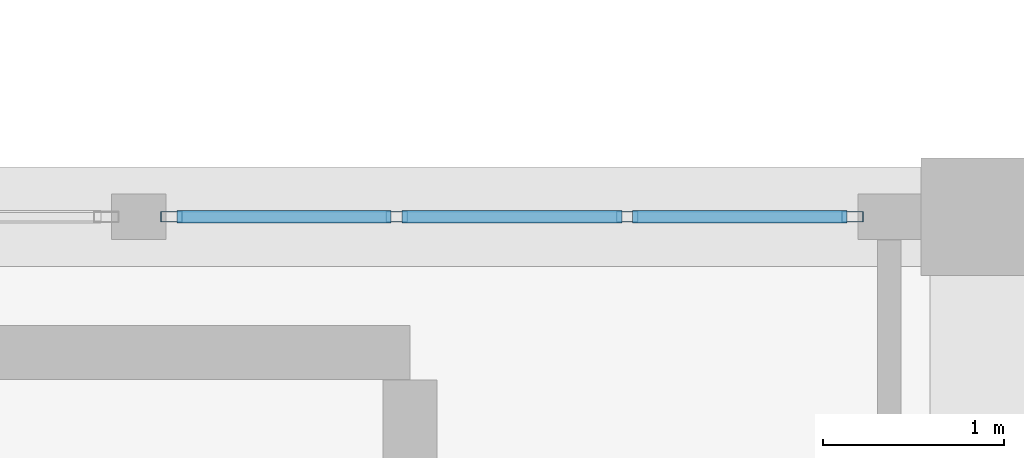
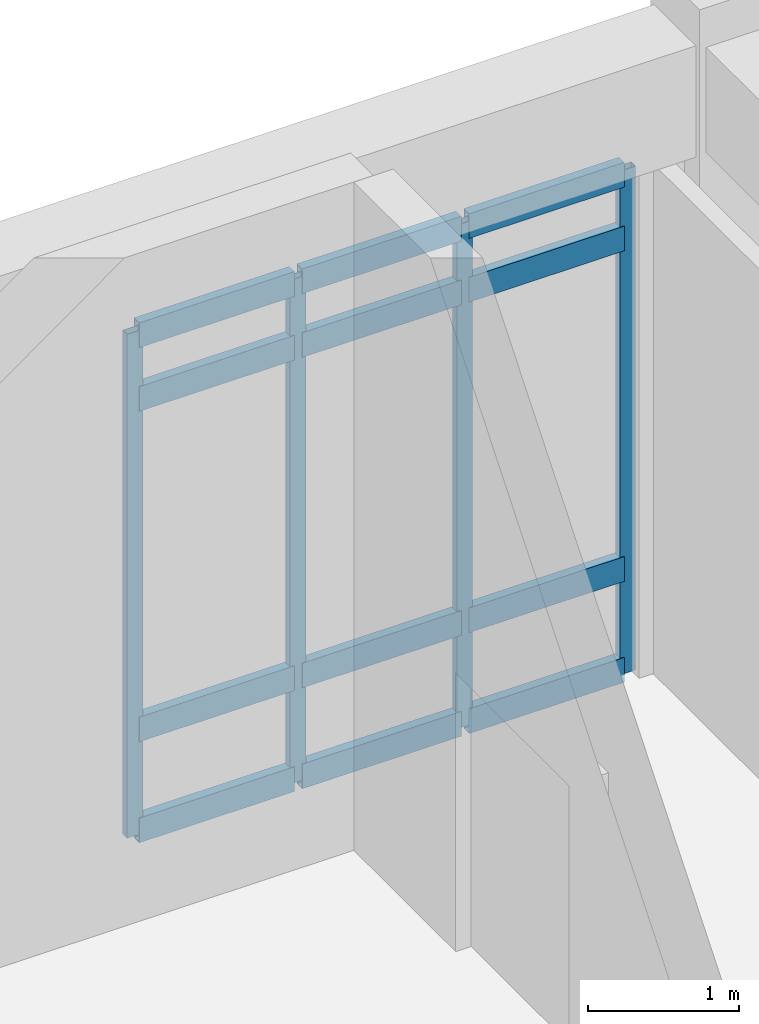
# One storey, part 6 of 138: 16 members, 1 element without a shape of its own.
"""IFC4 building model written with IfcOpenShell, lengths in metres."""

from ifc_helpers import new_model, si_unit, direction, frame, origin, origin_2d, place, context, subcontext, project, spatial, hollow_rectangle, extrude, material, layer, layer_set, material_profile, profile_set, type_object, element, aggregate, save


model = new_model("IFC4")

# Units and contexts
model_context = context("Model", 3, precision=1e-05, world=origin(), true_north=direction((0.0, 1.0)))
body_context = subcontext(model_context, "Body", "Model", "MODEL_VIEW")
ifc_project = project(units=[si_unit("LENGTHUNIT", "METRE"), si_unit("AREAUNIT", "SQUARE_METRE"), si_unit("VOLUMEUNIT", "CUBIC_METRE"), si_unit("PLANEANGLEUNIT", "RADIAN"), si_unit("MASSUNIT", "GRAM", prefix="KILO")], contexts=[model_context])

# Site, building, storey
site_placement = place(None, origin())
site = spatial("IfcSite", under=ifc_project, at=site_placement, CompositionType="ELEMENT")
building_placement = place(site_placement, origin())
building = spatial("IfcBuilding", under=site, at=building_placement, Name="Fikremerkos Civic Library", CompositionType="ELEMENT")
storey_placement = place(building_placement, origin())
storey = spatial("IfcBuildingStorey", under=building, at=storey_placement, Name="L00", CompositionType="ELEMENT", Elevation=0.0)

# Curtain wall, members
ifc_material = material(Name="Anodized aluminium Frame", Category="aluminium")
ifc_layer = layer(ifc_material, 0.159912109375, Name="Anodized aluminium Frame")
ifc_layer_set = layer_set([ifc_layer], Name="Anodized aluminium Frame")
curtain_wall_type = type_object("IfcCurtainWallType", Name="Unitised curtain wall CW-08 4500x4100", PredefinedType="USERDEFINED", material=ifc_layer_set)
curtain_wall_placement = place(storey_placement, origin())
curtain_wall = element("IfcCurtainWall", 1, at=curtain_wall_placement, inside=storey, type_object=curtain_wall_type, Name="Unitised curtain wall CW-08 L00 #8", ObjectType="UNITISED CURTAIN WALL", PredefinedType="USERDEFINED")
ifc_material_profile_1 = material_profile(ifc_material, hollow_rectangle(XDim=0.06005859375, YDim=0.1201171875, WallThickness=0.00390625, at=origin_2d()), Name="ALU 120x60x4")
ifc_profile_set_1 = profile_set([ifc_material_profile_1], Name="Anodized aluminium Frame")
member_type_1 = type_object("IfcMemberType", Name="Curtain mullion CWM-04 ALU 120x60x4", PredefinedType="MULLION", material=ifc_profile_set_1)
member_1_placement = place(storey_placement, frame((28.230712890625, 31.199951171875, 0.0), z_axis=(0.0, 0.0, 1.0), x_axis=(0.0, 1.0, 0.0)))
member_1 = element("IfcMember", 2, at=member_1_placement, type_object=member_type_1, Name="CW-08 mullion 1", PredefinedType="MULLION", context=body_context, shape_type="SweptSolid", body=[
    extrude(hollow_rectangle(XDim=0.06005859375, YDim=0.1201171875, WallThickness=0.00390625, at=origin_2d()), origin(), (0.0, 0.0, 1.0), 4.070068359375),
])
member_2_placement = place(storey_placement, frame((29.47607421875, 31.199951171875, 0.0), z_axis=(0.0, 0.0, 1.0), x_axis=(0.0, 1.0, 0.0)))
member_2 = element("IfcMember", 3, at=member_2_placement, type_object=member_type_1, Name="CW-08 mullion 2", PredefinedType="MULLION", context=body_context, shape_type="SweptSolid", body=[
    extrude(hollow_rectangle(XDim=0.06005859375, YDim=0.1201171875, WallThickness=0.00390625, at=origin_2d()), origin(), (0.0, 0.0, 1.0), 4.070068359375),
])
member_3_placement = place(storey_placement, frame((30.75146484375, 31.199951171875, 0.0), z_axis=(0.0, 0.0, 1.0), x_axis=(0.0, 1.0, 0.0)))
member_3 = element("IfcMember", 4, at=member_3_placement, type_object=member_type_1, Name="CW-08 mullion 3", PredefinedType="MULLION", context=body_context, shape_type="SweptSolid", body=[
    extrude(hollow_rectangle(XDim=0.06005859375, YDim=0.1201171875, WallThickness=0.00390625, at=origin_2d()), origin(), (0.0, 0.0, 1.0), 4.070068359375),
])
member_4_placement = place(storey_placement, frame((31.9970703125, 31.199951171875, 0.0), z_axis=(0.0, 0.0, 1.0), x_axis=(0.0, 1.0, 0.0)))
member_4 = element("IfcMember", 5, at=member_4_placement, type_object=member_type_1, Name="CW-08 mullion 4", PredefinedType="MULLION", context=body_context, shape_type="SweptSolid", body=[
    extrude(hollow_rectangle(XDim=0.06005859375, YDim=0.1201171875, WallThickness=0.00390625, at=origin_2d()), origin(), (0.0, 0.0, 1.0), 4.070068359375),
])
ifc_material_profile_2 = material_profile(ifc_material, hollow_rectangle(XDim=0.070068359375, YDim=0.199951171875, WallThickness=0.0048828125, at=origin_2d()), Name="ALU 200x70x5")
ifc_profile_set_2 = profile_set([ifc_material_profile_2], Name="Anodized aluminium Frame")
member_type_2 = type_object("IfcMemberType", Name="Curtain transom CWT-04 ALU 200x70x5", PredefinedType="USERDEFINED", material=ifc_profile_set_2)
member_5_placement = place(storey_placement, frame((28.2607421875, 31.199951171875, 0.034912109375), z_axis=(1.0, 0.0, 0.0), x_axis=(0.0, 1.0, 0.0)))
member_5 = element("IfcMember", 6, at=member_5_placement, type_object=member_type_2, Name="CW-08 transom 1.1", ObjectType="TRANSOM", PredefinedType="USERDEFINED", context=body_context, shape_type="SweptSolid", body=[
    extrude(hollow_rectangle(XDim=0.070068359375, YDim=0.199951171875, WallThickness=0.0048828125, at=origin_2d()), origin(), (0.0, 0.0, 1.0), 1.185302734375),
])
member_6_placement = place(storey_placement, frame((28.2607421875, 31.199951171875, 0.85009765625), z_axis=(1.0, 0.0, 0.0), x_axis=(0.0, 1.0, 0.0)))
member_6 = element("IfcMember", 7, at=member_6_placement, type_object=member_type_2, Name="CW-08 transom 1.2", ObjectType="TRANSOM", PredefinedType="USERDEFINED", context=body_context, shape_type="SweptSolid", body=[
    extrude(hollow_rectangle(XDim=0.070068359375, YDim=0.199951171875, WallThickness=0.0048828125, at=origin_2d()), origin(), (0.0, 0.0, 1.0), 1.185302734375),
])
member_7_placement = place(storey_placement, frame((28.2607421875, 31.199951171875, 3.52001953125), z_axis=(1.0, 0.0, 0.0), x_axis=(0.0, 1.0, 0.0)))
member_7 = element("IfcMember", 8, at=member_7_placement, type_object=member_type_2, Name="CW-08 transom 1.3", ObjectType="TRANSOM", PredefinedType="USERDEFINED", context=body_context, shape_type="SweptSolid", body=[
    extrude(hollow_rectangle(XDim=0.070068359375, YDim=0.199951171875, WallThickness=0.0048828125, at=origin_2d()), origin(), (0.0, 0.0, 1.0), 1.185302734375),
])
member_8_placement = place(storey_placement, frame((28.2607421875, 31.199951171875, 4.034912109375), z_axis=(1.0, 0.0, 0.0), x_axis=(0.0, 1.0, 0.0)))
member_8 = element("IfcMember", 9, at=member_8_placement, type_object=member_type_2, Name="CW-08 transom 1.4", ObjectType="TRANSOM", PredefinedType="USERDEFINED", context=body_context, shape_type="SweptSolid", body=[
    extrude(hollow_rectangle(XDim=0.070068359375, YDim=0.199951171875, WallThickness=0.0048828125, at=origin_2d()), origin(), (0.0, 0.0, 1.0), 1.185302734375),
])
member_9_placement = place(storey_placement, frame((29.506103515625, 31.199951171875, 0.034912109375), z_axis=(1.0, 0.0, 0.0), x_axis=(0.0, 1.0, 0.0)))
member_9 = element("IfcMember", 10, at=member_9_placement, type_object=member_type_2, Name="CW-08 transom 2.1", ObjectType="TRANSOM", PredefinedType="USERDEFINED", context=body_context, shape_type="SweptSolid", body=[
    extrude(hollow_rectangle(XDim=0.070068359375, YDim=0.199951171875, WallThickness=0.0048828125, at=origin_2d()), origin(), (0.0, 0.0, 1.0), 1.21533203125),
])
member_10_placement = place(storey_placement, frame((29.506103515625, 31.199951171875, 0.85009765625), z_axis=(1.0, 0.0, 0.0), x_axis=(0.0, 1.0, 0.0)))
member_10 = element("IfcMember", 11, at=member_10_placement, type_object=member_type_2, Name="CW-08 transom 2.2", ObjectType="TRANSOM", PredefinedType="USERDEFINED", context=body_context, shape_type="SweptSolid", body=[
    extrude(hollow_rectangle(XDim=0.070068359375, YDim=0.199951171875, WallThickness=0.0048828125, at=origin_2d()), origin(), (0.0, 0.0, 1.0), 1.21533203125),
])
member_11_placement = place(storey_placement, frame((29.506103515625, 31.199951171875, 3.52001953125), z_axis=(1.0, 0.0, 0.0), x_axis=(0.0, 1.0, 0.0)))
member_11 = element("IfcMember", 12, at=member_11_placement, type_object=member_type_2, Name="CW-08 transom 2.3", ObjectType="TRANSOM", PredefinedType="USERDEFINED", context=body_context, shape_type="SweptSolid", body=[
    extrude(hollow_rectangle(XDim=0.070068359375, YDim=0.199951171875, WallThickness=0.0048828125, at=origin_2d()), origin(), (0.0, 0.0, 1.0), 1.21533203125),
])
member_12_placement = place(storey_placement, frame((29.506103515625, 31.199951171875, 4.034912109375), z_axis=(1.0, 0.0, 0.0), x_axis=(0.0, 1.0, 0.0)))
member_12 = element("IfcMember", 13, at=member_12_placement, type_object=member_type_2, Name="CW-08 transom 2.4", ObjectType="TRANSOM", PredefinedType="USERDEFINED", context=body_context, shape_type="SweptSolid", body=[
    extrude(hollow_rectangle(XDim=0.070068359375, YDim=0.199951171875, WallThickness=0.0048828125, at=origin_2d()), origin(), (0.0, 0.0, 1.0), 1.21533203125),
])
member_13_placement = place(storey_placement, frame((30.781494140625, 31.199951171875, 0.034912109375), z_axis=(1.0, 0.0, 0.0), x_axis=(0.0, 1.0, 0.0)))
member_13 = element("IfcMember", 14, at=member_13_placement, type_object=member_type_2, Name="CW-08 transom 3.1", ObjectType="TRANSOM", PredefinedType="USERDEFINED", context=body_context, shape_type="SweptSolid", body=[
    extrude(hollow_rectangle(XDim=0.070068359375, YDim=0.199951171875, WallThickness=0.0048828125, at=origin_2d()), origin(), (0.0, 0.0, 1.0), 1.185546875),
])
member_14_placement = place(storey_placement, frame((30.781494140625, 31.199951171875, 0.85009765625), z_axis=(1.0, 0.0, 0.0), x_axis=(0.0, 1.0, 0.0)))
member_14 = element("IfcMember", 15, at=member_14_placement, type_object=member_type_2, Name="CW-08 transom 3.2", ObjectType="TRANSOM", PredefinedType="USERDEFINED", context=body_context, shape_type="SweptSolid", body=[
    extrude(hollow_rectangle(XDim=0.070068359375, YDim=0.199951171875, WallThickness=0.0048828125, at=origin_2d()), origin(), (0.0, 0.0, 1.0), 1.185546875),
])
member_15_placement = place(storey_placement, frame((30.781494140625, 31.199951171875, 3.52001953125), z_axis=(1.0, 0.0, 0.0), x_axis=(0.0, 1.0, 0.0)))
member_15 = element("IfcMember", 16, at=member_15_placement, type_object=member_type_2, Name="CW-08 transom 3.3", ObjectType="TRANSOM", PredefinedType="USERDEFINED", context=body_context, shape_type="SweptSolid", body=[
    extrude(hollow_rectangle(XDim=0.070068359375, YDim=0.199951171875, WallThickness=0.0048828125, at=origin_2d()), origin(), (0.0, 0.0, 1.0), 1.185546875),
])
member_16_placement = place(storey_placement, frame((30.781494140625, 31.199951171875, 4.034912109375), z_axis=(1.0, 0.0, 0.0), x_axis=(0.0, 1.0, 0.0)))
member_16 = element("IfcMember", 17, at=member_16_placement, type_object=member_type_2, Name="CW-08 transom 3.4", ObjectType="TRANSOM", PredefinedType="USERDEFINED", context=body_context, shape_type="SweptSolid", body=[
    extrude(hollow_rectangle(XDim=0.070068359375, YDim=0.199951171875, WallThickness=0.0048828125, at=origin_2d()), origin(), (0.0, 0.0, 1.0), 1.185546875),
])
aggregate(curtain_wall, [member_1, member_2, member_3, member_4, member_5, member_6, member_7, member_8, member_9, member_10, member_11, member_12, member_13, member_14, member_15, member_16])

save(model, "model.ifc")
